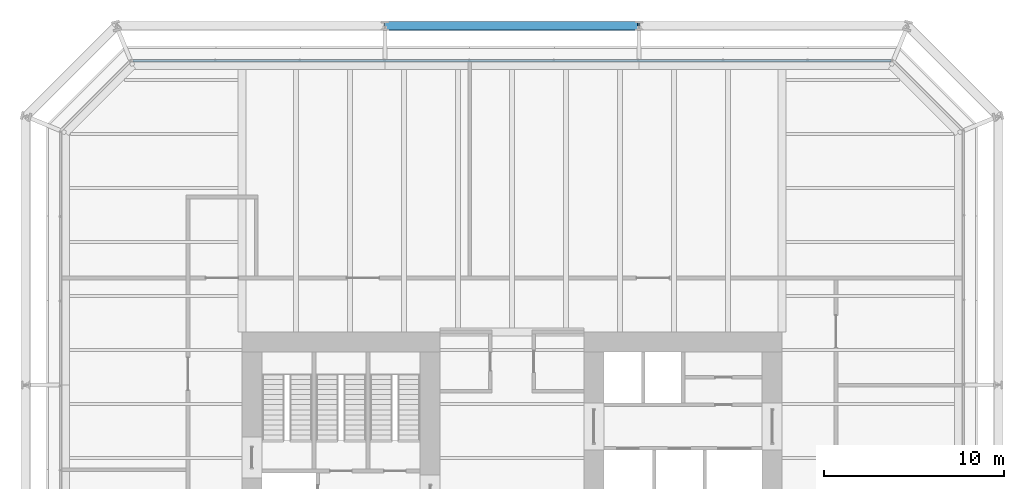
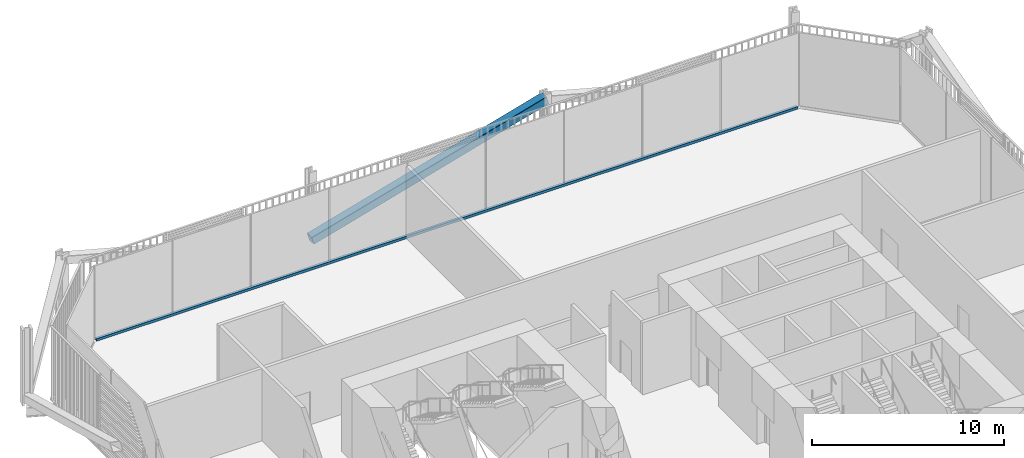
# One storey, part 15 of 22: 2 members, 1 element without a shape of its own.
"""IFC4 building model written with IfcOpenShell, lengths in metres."""

from ifc_helpers import new_model, si_unit, direction, frame, origin, origin_2d, place, context, subcontext, project, spatial, rectangle, hollow_rectangle, extrude, material, layer, layer_set, material_profile, profile_set, type_object, element, aggregate, save


model = new_model("IFC4")

# Units and contexts
model_context = context("Model", 3, precision=1e-05, world=origin(), true_north=direction((0.0, 1.0)))
body_context = subcontext(model_context, "Body", "Model", "MODEL_VIEW")
ifc_project = project(units=[si_unit("LENGTHUNIT", "METRE"), si_unit("AREAUNIT", "SQUARE_METRE"), si_unit("VOLUMEUNIT", "CUBIC_METRE"), si_unit("PLANEANGLEUNIT", "RADIAN"), si_unit("MASSUNIT", "GRAM", prefix="KILO")], contexts=[model_context])

# Site, building, storey
site_placement = place(None, origin())
site = spatial("IfcSite", under=ifc_project, at=site_placement, CompositionType="ELEMENT")
building_placement = place(site_placement, origin())
building = spatial("IfcBuilding", under=site, at=building_placement, Name="Millrace Tower", CompositionType="ELEMENT")
storey_placement = place(building_placement, frame((0.0, 0.0, 30.5)))
storey = spatial("IfcBuildingStorey", under=building, at=storey_placement, Name="L07", CompositionType="ELEMENT", Elevation=30.5)

# Curtain wall, member
ifc_material_1 = material(Name="Aluminium and glass", Category="aluminium")
ifc_layer = layer(ifc_material_1, 0.14990234375)
ifc_layer_set = layer_set([ifc_layer], Name="Aluminium and glass")
curtain_wall_type = type_object("IfcCurtainWallType", Name="CW-2 data hall insulated curtain wall", PredefinedType="NOTDEFINED", material=ifc_layer_set)
curtain_wall_placement = place(storey_placement, origin())
curtain_wall = element("IfcCurtainWall", 1, at=curtain_wall_placement, inside=storey, type_object=curtain_wall_type, Name="Curtain wall A-F06 L07", PredefinedType="NOTDEFINED")
ifc_material_2 = material(Name="Aluminium", Category="aluminium")
ifc_material_profile_1 = material_profile(ifc_material_2, rectangle(XDim=0.14990234375, YDim=0.159912109375, at=origin_2d()))
ifc_profile_set_1 = profile_set([ifc_material_profile_1], Name="Aluminium")
member_type_1 = type_object("IfcMemberType", Name="CW-2 data hall insulated curtain wall transom", PredefinedType="USERDEFINED", material=ifc_profile_set_1)
member_1_placement = place(storey_placement, frame((21.050048828125, 25.074951171875, 0.080078125), z_axis=(-1.0, 0.0, 0.0), x_axis=(0.0, -1.0, 0.0)))
member_1 = element("IfcMember", 2, at=member_1_placement, type_object=member_type_1, Name="CW2 transom A-F06.1", ObjectType="TRANSOM", PredefinedType="USERDEFINED", context=body_context, shape_type="SweptSolid", body=[
    extrude(rectangle(XDim=0.14990234375, YDim=0.159912109375, at=origin_2d()), origin(), (0.0, 0.0, 1.0), 42.10009765625),
])
aggregate(curtain_wall, [member_1])

# Member
ifc_material_3 = material(Name="Steel ASTM A500 Grade C", Category="steel")
ifc_material_profile_2 = material_profile(ifc_material_3, hollow_rectangle(XDim=0.508056640625, YDim=0.508056640625, WallThickness=0.022216796875, InnerFilletRadius=0.01123046875, OuterFilletRadius=0.033447265625, at=origin_2d()))
ifc_profile_set_2 = profile_set([ifc_material_profile_2], Name="Steel ASTM A500 Grade C")
member_type_2 = type_object("IfcMemberType", Name="Exoskeleton brace HSS20x20x7/8", PredefinedType="BRACE", material=ifc_profile_set_2)
member_2_placement = place(storey_placement, frame((-7.050048828125, 27.0, 0.39990234375), z_axis=(0.962037695102, 0.0, 0.272916604851), x_axis=(0.0, 1.0, 0.0)))
element("IfcMember", 3, at=member_2_placement, inside=storey, type_object=member_type_2, Name="BRC-A-L07-11", PredefinedType="BRACE", context=body_context, shape_type="SweptSolid", body=[
    extrude(hollow_rectangle(XDim=0.508056640625, YDim=0.508056640625, WallThickness=0.022216796875, InnerFilletRadius=0.01123046875, OuterFilletRadius=0.033447265625, at=origin_2d()), origin(), (0.0, 0.0, 1.0), 14.656494140625),
])

save(model, "model.ifc")
